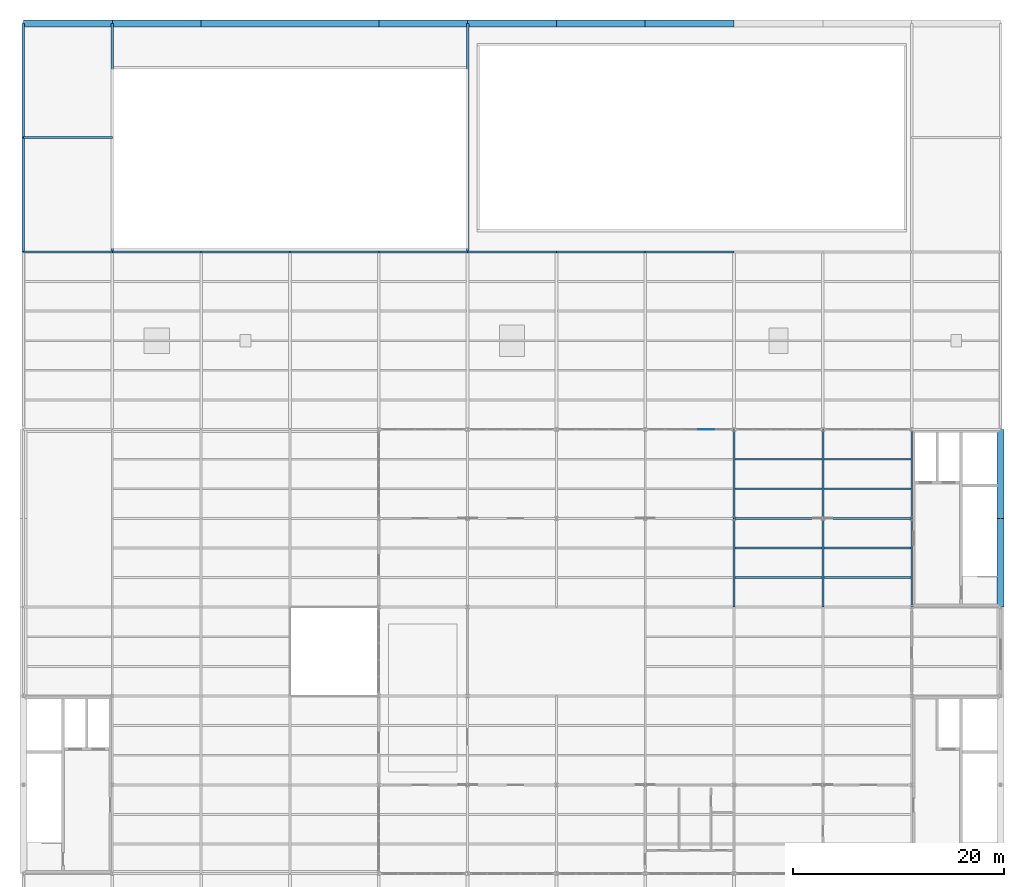
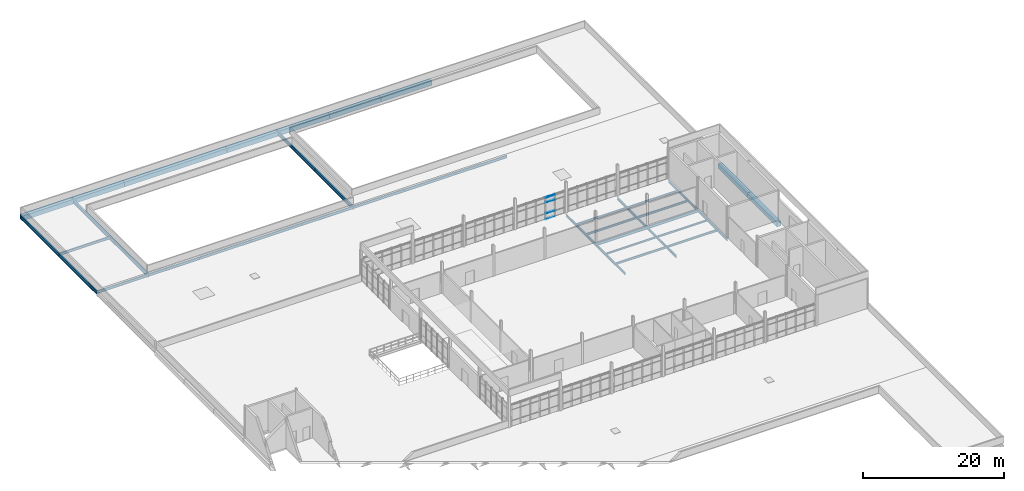
# One storey, part 20 of 33: 40 beams, 4 members, 1 element without a shape of its own.
"""IFC4 building model written with IfcOpenShell, lengths in metres."""

from ifc_helpers import new_model, si_unit, direction, frame, origin, origin_2d, place, context, subcontext, project, spatial, rectangle, i_section, extrude, material, layer, layer_set, material_profile, profile_set, type_object, element, aggregate, save


model = new_model("IFC4")

# Units and contexts
model_context = context("Model", 3, precision=1e-05, world=origin(), true_north=direction((0.0, 1.0)))
body_context = subcontext(model_context, "Body", "Model", "MODEL_VIEW")
ifc_project = project(units=[si_unit("LENGTHUNIT", "METRE"), si_unit("AREAUNIT", "SQUARE_METRE"), si_unit("VOLUMEUNIT", "CUBIC_METRE"), si_unit("PLANEANGLEUNIT", "RADIAN"), si_unit("MASSUNIT", "GRAM", prefix="KILO"), si_unit("THERMODYNAMICTEMPERATUREUNIT", "KELVIN"), si_unit("POWERUNIT", "WATT")], contexts=[model_context])

# Site, building, storey
site_placement = place(None, origin())
site = spatial("IfcSite", under=ifc_project, at=site_placement, CompositionType="ELEMENT")
building_placement = place(site_placement, origin())
building = spatial("IfcBuilding", under=site, at=building_placement, Name="Tembeka Court Mobility Hub", CompositionType="ELEMENT")
storey_placement = place(building_placement, frame((0.0, 0.0, 23.39990234375)))
storey = spatial("IfcBuildingStorey", under=building, at=storey_placement, Name="L06", CompositionType="ELEMENT", Elevation=23.39990234375)

# Beams
ifc_material_1 = material(Name="Steel S355", Category="steel")
ifc_material_profile_1 = material_profile(ifc_material_1, i_section(OverallWidth=0.18994140625, OverallDepth=0.45703125, WebThickness=0.009033203125, FlangeThickness=0.014404296875, FilletRadius=0.01025390625, at=origin_2d()), Name="UKB 457x191x74")
ifc_profile_set_1 = profile_set([ifc_material_profile_1], Name="Steel S355")
beam_type_1 = type_object("IfcBeamType", Name="BM-B01", PredefinedType="BEAM", material=ifc_profile_set_1)
beam_1_placement = place(storey_placement, frame((67.199951171875, 72.0, -0.478515625), z_axis=(1.0, 0.0, 0.0), x_axis=(0.0, 1.0, 0.0)))
element("IfcBeam", 1, at=beam_1_placement, inside=storey, type_object=beam_type_1, Name="Beam B01 (BM-L06-X3160)", PredefinedType="BEAM", context=body_context, shape_type="SweptSolid", body=[
    extrude(i_section(OverallWidth=0.18994140625, OverallDepth=0.45703125, WebThickness=0.009033203125, FlangeThickness=0.014404296875, FilletRadius=0.01025390625, at=origin_2d()), origin(), (0.0, 0.0, 1.0), 8.400146484375),
])
for number, where, z_axis, x_axis, name in (
    (2, (75.60009765625, 72.0, -0.478515625), (1.0, 0.0, 0.0), (0.0, 1.0, 0.0), "Beam B01 (BM-L06-X3161)"),
    (3, (0.0, 97.199951171875, -0.45849609375), (1.0, 0.0, 0.0), (0.0, 1.0, 0.0), "Beam B01 (BM-L06-X3173)"),
):
    element("IfcBeam", number, at=place(storey_placement, frame(where, z_axis=z_axis, x_axis=x_axis)), inside=storey, type_object=beam_type_1, Name=name, PredefinedType="BEAM", context=body_context, shape_type="SweptSolid", body=[
        extrude(i_section(OverallWidth=0.18994140625, OverallDepth=0.45703125, WebThickness=0.009033203125, FlangeThickness=0.014404296875, FilletRadius=0.01025390625, at=origin_2d()), origin(), (0.0, 0.0, 1.0), 8.39990234375),
    ])
beam_2_placement = place(storey_placement, frame((8.39990234375, 97.199951171875, -0.45849609375), z_axis=(1.0, 0.0, 0.0), x_axis=(0.0, 1.0, 0.0)))
element("IfcBeam", 4, at=beam_2_placement, inside=storey, type_object=beam_type_1, Name="Beam B01 (BM-L06-X3174)", PredefinedType="BEAM", context=body_context, shape_type="SweptSolid", body=[
    extrude(i_section(OverallWidth=0.18994140625, OverallDepth=0.45703125, WebThickness=0.009033203125, FlangeThickness=0.014404296875, FilletRadius=0.01025390625, at=origin_2d()), origin(), (0.0, 0.0, 1.0), 8.400146484375),
])
beam_3_placement = place(storey_placement, frame((16.800048828125, 97.199951171875, -0.45849609375), z_axis=(1.0, 0.0, 0.0), x_axis=(0.0, 1.0, 0.0)))
element("IfcBeam", 5, at=beam_3_placement, inside=storey, type_object=beam_type_1, Name="Beam B01 (BM-L06-X3175)", PredefinedType="BEAM", context=body_context, shape_type="SweptSolid", body=[
    extrude(i_section(OverallWidth=0.18994140625, OverallDepth=0.45703125, WebThickness=0.009033203125, FlangeThickness=0.014404296875, FilletRadius=0.01025390625, at=origin_2d()), origin(), (0.0, 0.0, 1.0), 8.39990234375),
])
beam_4_placement = place(storey_placement, frame((25.199951171875, 97.199951171875, -0.45849609375), z_axis=(1.0, 0.0, 0.0), x_axis=(0.0, 1.0, 0.0)))
element("IfcBeam", 6, at=beam_4_placement, inside=storey, type_object=beam_type_1, Name="Beam B01 (BM-L06-X3176)", PredefinedType="BEAM", context=body_context, shape_type="SweptSolid", body=[
    extrude(i_section(OverallWidth=0.18994140625, OverallDepth=0.45703125, WebThickness=0.009033203125, FlangeThickness=0.014404296875, FilletRadius=0.01025390625, at=origin_2d()), origin(), (0.0, 0.0, 1.0), 8.400146484375),
])
for number, where, z_axis, x_axis, name in (
    (7, (33.60009765625, 97.199951171875, -0.45849609375), (1.0, 0.0, 0.0), (0.0, 1.0, 0.0), "Beam B01 (BM-L06-X3177)"),
    (8, (42.0, 97.199951171875, -0.45849609375), (1.0, 0.0, 0.0), (0.0, 1.0, 0.0), "Beam B01 (BM-L06-X3178)"),
):
    element("IfcBeam", number, at=place(storey_placement, frame(where, z_axis=z_axis, x_axis=x_axis)), inside=storey, type_object=beam_type_1, Name=name, PredefinedType="BEAM", context=body_context, shape_type="SweptSolid", body=[
        extrude(i_section(OverallWidth=0.18994140625, OverallDepth=0.45703125, WebThickness=0.009033203125, FlangeThickness=0.014404296875, FilletRadius=0.01025390625, at=origin_2d()), origin(), (0.0, 0.0, 1.0), 8.39990234375),
    ])
beam_5_placement = place(storey_placement, frame((50.39990234375, 97.199951171875, -0.45849609375), z_axis=(1.0, 0.0, 0.0), x_axis=(0.0, 1.0, 0.0)))
element("IfcBeam", 9, at=beam_5_placement, inside=storey, type_object=beam_type_1, Name="Beam B01 (BM-L06-X3179)", PredefinedType="BEAM", context=body_context, shape_type="SweptSolid", body=[
    extrude(i_section(OverallWidth=0.18994140625, OverallDepth=0.45703125, WebThickness=0.009033203125, FlangeThickness=0.014404296875, FilletRadius=0.01025390625, at=origin_2d()), origin(), (0.0, 0.0, 1.0), 8.400146484375),
])
for number, where, z_axis, x_axis, name in (
    (10, (58.800048828125, 97.199951171875, -0.45849609375), (1.0, 0.0, 0.0), (0.0, 1.0, 0.0), "Beam B01 (BM-L06-X3180)"),
    (11, (0.0, 108.0, -0.45849609375), (1.0, 0.0, 0.0), (0.0, 1.0, 0.0), "Beam B01 (BM-L06-X3184)"),
):
    element("IfcBeam", number, at=place(storey_placement, frame(where, z_axis=z_axis, x_axis=x_axis)), inside=storey, type_object=beam_type_1, Name=name, PredefinedType="BEAM", context=body_context, shape_type="SweptSolid", body=[
        extrude(i_section(OverallWidth=0.18994140625, OverallDepth=0.45703125, WebThickness=0.009033203125, FlangeThickness=0.014404296875, FilletRadius=0.01025390625, at=origin_2d()), origin(), (0.0, 0.0, 1.0), 8.39990234375),
    ])
ifc_material_profile_2 = material_profile(ifc_material_1, i_section(OverallWidth=0.177978515625, OverallDepth=0.406005859375, WebThickness=0.0078125, FlangeThickness=0.0126953125, FilletRadius=0.01025390625, at=origin_2d()), Name="UKB 406x178x60")
ifc_profile_set_2 = profile_set([ifc_material_profile_2], Name="Steel S355")
beam_type_2 = type_object("IfcBeamType", Name="BM-B02", PredefinedType="BEAM", material=ifc_profile_set_2)
for number, where, z_axis, x_axis, name in (
    (12, (67.199951171875, 63.60009765625, -0.452880859375), (0.0, 1.0, 0.0), (-1.0, 0.0, 0.0), "Beam B02 (BM-L06-Y3265)"),
    (13, (67.199951171875, 72.0, -0.452880859375), (0.0, 1.0, 0.0), (-1.0, 0.0, 0.0), "Beam B02 (BM-L06-Y3266)"),
    (14, (75.60009765625, 63.60009765625, -0.452880859375), (0.0, 1.0, 0.0), (-1.0, 0.0, 0.0), "Beam B02 (BM-L06-Y3272)"),
    (15, (75.60009765625, 72.0, -0.452880859375), (0.0, 1.0, 0.0), (-1.0, 0.0, 0.0), "Beam B02 (BM-L06-Y3273)"),
    (16, (84.0, 63.60009765625, -0.452880859375), (0.0, 1.0, 0.0), (-1.0, 0.0, 0.0), "Beam B02 (BM-L06-Y3281)"),
    (17, (84.0, 72.0, -0.452880859375), (0.0, 1.0, 0.0), (-1.0, 0.0, 0.0), "Beam B02 (BM-L06-Y3282)"),
):
    element("IfcBeam", number, at=place(storey_placement, frame(where, z_axis=z_axis, x_axis=x_axis)), inside=storey, type_object=beam_type_2, Name=name, PredefinedType="BEAM", context=body_context, shape_type="SweptSolid", body=[
        extrude(i_section(OverallWidth=0.177978515625, OverallDepth=0.406005859375, WebThickness=0.0078125, FlangeThickness=0.0126953125, FilletRadius=0.01025390625, at=origin_2d()), origin(), (0.0, 0.0, 1.0), 8.39990234375),
    ])
ifc_material_profile_3 = material_profile(ifc_material_1, i_section(OverallWidth=0.22900390625, OverallDepth=0.612060546875, WebThickness=0.011962890625, FlangeThickness=0.01953125, FilletRadius=0.0126953125, at=origin_2d()), Name="UKB 610x229x125")
ifc_profile_set_3 = profile_set([ifc_material_profile_3], Name="Steel S355")
beam_type_3 = type_object("IfcBeamType", Name="BM-G02", PredefinedType="USERDEFINED", material=ifc_profile_set_3)
for number, where, z_axis, x_axis, name in (
    (18, (0.0, 97.199951171875, -0.535888671875), (0.0, 1.0, 0.0), (-1.0, 0.0, 0.0), "Beam G02 (BM-L06-Y3205)"),
    (19, (0.0, 108.0, -0.535888671875), (0.0, 1.0, 0.0), (-1.0, 0.0, 0.0), "Beam G02 (BM-L06-Y3206)"),
    (20, (8.39990234375, 97.199951171875, -0.535888671875), (0.0, 1.0, 0.0), (-1.0, 0.0, 0.0), "Beam G02 (BM-L06-Y3216)"),
    (21, (8.39990234375, 108.0, -0.535888671875), (0.0, 1.0, 0.0), (-1.0, 0.0, 0.0), "Beam G02 (BM-L06-Y3217)"),
    (22, (42.0, 97.199951171875, -0.535888671875), (0.0, 1.0, 0.0), (-1.0, 0.0, 0.0), "Beam G02 (BM-L06-Y3246)"),
    (23, (42.0, 108.0, -0.535888671875), (0.0, 1.0, 0.0), (-1.0, 0.0, 0.0), "Beam G02 (BM-L06-Y3247)"),
):
    element("IfcBeam", number, at=place(storey_placement, frame(where, z_axis=z_axis, x_axis=x_axis)), inside=storey, type_object=beam_type_3, Name=name, ObjectType="GIRDER", PredefinedType="USERDEFINED", context=body_context, shape_type="SweptSolid", body=[
        extrude(i_section(OverallWidth=0.22900390625, OverallDepth=0.612060546875, WebThickness=0.011962890625, FlangeThickness=0.01953125, FilletRadius=0.0126953125, at=origin_2d()), origin(), (0.0, 0.0, 1.0), 10.800048828125),
    ])
ifc_material_profile_4 = material_profile(ifc_material_1, i_section(OverallWidth=0.1650390625, OverallDepth=0.303955078125, WebThickness=0.006103515625, FlangeThickness=0.01025390625, FilletRadius=0.0087890625, at=origin_2d()), Name="UKB 305x165x40")
ifc_profile_set_4 = profile_set([ifc_material_profile_4], Name="Steel S355")
beam_type_4 = type_object("IfcBeamType", Name="BM-J02", PredefinedType="JOIST", material=ifc_profile_set_4)
for number, where, z_axis, x_axis, name in (
    (24, (67.283935546875, 69.199951171875, -0.40185546875), (1.0, 0.0, 0.0), (0.0, 1.0, 0.0), "Beam J02 (JST-L06-3453)"),
    (25, (67.283935546875, 77.60009765625, -0.40185546875), (1.0, 0.0, 0.0), (0.0, 1.0, 0.0), "Beam J02 (JST-L06-3455)"),
):
    element("IfcBeam", number, at=place(storey_placement, frame(where, z_axis=z_axis, x_axis=x_axis)), inside=storey, type_object=beam_type_4, Name=name, PredefinedType="JOIST", context=body_context, shape_type="SweptSolid", body=[
        extrude(i_section(OverallWidth=0.1650390625, OverallDepth=0.303955078125, WebThickness=0.006103515625, FlangeThickness=0.01025390625, FilletRadius=0.0087890625, at=origin_2d()), origin(), (0.0, 0.0, 1.0), 8.232177734375),
    ])
for number, where, z_axis, x_axis, name in (
    (26, (75.68408203125, 69.199951171875, -0.40185546875), (1.0, 0.0, 0.0), (0.0, 1.0, 0.0), "Beam J02 (JST-L06-3473)"),
    (27, (75.68408203125, 77.60009765625, -0.40185546875), (1.0, 0.0, 0.0), (0.0, 1.0, 0.0), "Beam J02 (JST-L06-3475)"),
):
    element("IfcBeam", number, at=place(storey_placement, frame(where, z_axis=z_axis, x_axis=x_axis)), inside=storey, type_object=beam_type_4, Name=name, PredefinedType="JOIST", context=body_context, shape_type="SweptSolid", body=[
        extrude(i_section(OverallWidth=0.1650390625, OverallDepth=0.303955078125, WebThickness=0.006103515625, FlangeThickness=0.01025390625, FilletRadius=0.0087890625, at=origin_2d()), origin(), (0.0, 0.0, 1.0), 8.23193359375),
    ])
ifc_material_profile_5 = material_profile(ifc_material_1, i_section(OverallWidth=0.169921875, OverallDepth=0.360107421875, WebThickness=0.008056640625, FlangeThickness=0.0126953125, FilletRadius=0.01806640625, at=origin_2d()), Name="IPE 360")
ifc_profile_set_5 = profile_set([ifc_material_profile_5], Name="Steel S355")
beam_type_5 = type_object("IfcBeamType", Name="BM-J03", PredefinedType="JOIST", material=ifc_profile_set_5)
for number, where, z_axis, x_axis, name in (
    (28, (67.283935546875, 66.39990234375, -0.429931640625), (1.0, 0.0, 0.0), (0.0, 1.0, 0.0), "Beam J03 (JST-L06-3452)"),
    (29, (67.283935546875, 74.800048828125, -0.429931640625), (1.0, 0.0, 0.0), (0.0, 1.0, 0.0), "Beam J03 (JST-L06-3454)"),
):
    element("IfcBeam", number, at=place(storey_placement, frame(where, z_axis=z_axis, x_axis=x_axis)), inside=storey, type_object=beam_type_5, Name=name, PredefinedType="JOIST", context=body_context, shape_type="SweptSolid", body=[
        extrude(i_section(OverallWidth=0.169921875, OverallDepth=0.360107421875, WebThickness=0.008056640625, FlangeThickness=0.0126953125, FilletRadius=0.01806640625, at=origin_2d()), origin(), (0.0, 0.0, 1.0), 8.232177734375),
    ])
for number, where, z_axis, x_axis, name in (
    (30, (75.68408203125, 66.39990234375, -0.429931640625), (1.0, 0.0, 0.0), (0.0, 1.0, 0.0), "Beam J03 (JST-L06-3472)"),
    (31, (75.68408203125, 74.800048828125, -0.429931640625), (1.0, 0.0, 0.0), (0.0, 1.0, 0.0), "Beam J03 (JST-L06-3474)"),
):
    element("IfcBeam", number, at=place(storey_placement, frame(where, z_axis=z_axis, x_axis=x_axis)), inside=storey, type_object=beam_type_5, Name=name, PredefinedType="JOIST", context=body_context, shape_type="SweptSolid", body=[
        extrude(i_section(OverallWidth=0.169921875, OverallDepth=0.360107421875, WebThickness=0.008056640625, FlangeThickness=0.0126953125, FilletRadius=0.01806640625, at=origin_2d()), origin(), (0.0, 0.0, 1.0), 8.23193359375),
    ])
ifc_material_2 = material(Name="Precast concrete C45/55", Category="concrete")
ifc_material_profile_6 = material_profile(ifc_material_2, rectangle(XDim=0.64990234375, YDim=0.800048828125, at=origin_2d()), Name="PC-SP 650x800")
ifc_profile_set_6 = profile_set([ifc_material_profile_6], Name="Precast concrete C45/55")
beam_type_6 = type_object("IfcBeamType", Name="BM-SP01", PredefinedType="SPANDREL", material=ifc_profile_set_6)
beam_6_placement = place(storey_placement, frame((0.0, 118.800048828125, -0.6298828125), z_axis=(1.0, 0.0, 0.0), x_axis=(0.0, 1.0, 0.0)))
element("IfcBeam", 32, at=beam_6_placement, inside=storey, type_object=beam_type_6, Name="Beam SP01 (BM-L06-X3186)", PredefinedType="SPANDREL", context=body_context, shape_type="SweptSolid", body=[
    extrude(rectangle(XDim=0.64990234375, YDim=0.800048828125, at=origin_2d()), origin(), (0.0, 0.0, 1.0), 8.39990234375),
])
beam_7_placement = place(storey_placement, frame((8.39990234375, 118.800048828125, -0.6298828125), z_axis=(1.0, 0.0, 0.0), x_axis=(0.0, 1.0, 0.0)))
element("IfcBeam", 33, at=beam_7_placement, inside=storey, type_object=beam_type_6, Name="Beam SP01 (BM-L06-X3187)", PredefinedType="SPANDREL", context=body_context, shape_type="SweptSolid", body=[
    extrude(rectangle(XDim=0.64990234375, YDim=0.800048828125, at=origin_2d()), origin(), (0.0, 0.0, 1.0), 8.400146484375),
])
beam_8_placement = place(storey_placement, frame((16.800048828125, 118.800048828125, -0.6298828125), z_axis=(1.0, 0.0, 0.0), x_axis=(0.0, 1.0, 0.0)))
element("IfcBeam", 34, at=beam_8_placement, inside=storey, type_object=beam_type_6, Name="Beam SP01 (BM-L06-X3188)", PredefinedType="SPANDREL", context=body_context, shape_type="SweptSolid", body=[
    extrude(rectangle(XDim=0.64990234375, YDim=0.800048828125, at=origin_2d()), origin(), (0.0, 0.0, 1.0), 16.800048828125),
])
for number, where, z_axis, x_axis, name in (
    (35, (33.60009765625, 118.800048828125, -0.6298828125), (1.0, 0.0, 0.0), (0.0, 1.0, 0.0), "Beam SP01 (BM-L06-X3189)"),
    (36, (42.0, 118.800048828125, -0.6298828125), (1.0, 0.0, 0.0), (0.0, 1.0, 0.0), "Beam SP01 (BM-L06-X3190)"),
):
    element("IfcBeam", number, at=place(storey_placement, frame(where, z_axis=z_axis, x_axis=x_axis)), inside=storey, type_object=beam_type_6, Name=name, PredefinedType="SPANDREL", context=body_context, shape_type="SweptSolid", body=[
        extrude(rectangle(XDim=0.64990234375, YDim=0.800048828125, at=origin_2d()), origin(), (0.0, 0.0, 1.0), 8.39990234375),
    ])
beam_9_placement = place(storey_placement, frame((50.39990234375, 118.800048828125, -0.6298828125), z_axis=(1.0, 0.0, 0.0), x_axis=(0.0, 1.0, 0.0)))
element("IfcBeam", 37, at=beam_9_placement, inside=storey, type_object=beam_type_6, Name="Beam SP01 (BM-L06-X3191)", PredefinedType="SPANDREL", context=body_context, shape_type="SweptSolid", body=[
    extrude(rectangle(XDim=0.64990234375, YDim=0.800048828125, at=origin_2d()), origin(), (0.0, 0.0, 1.0), 8.400146484375),
])
for number, where, z_axis, x_axis, name in (
    (38, (58.800048828125, 118.800048828125, -0.6298828125), (1.0, 0.0, 0.0), (0.0, 1.0, 0.0), "Beam SP01 (BM-L06-X3192)"),
    (39, (92.39990234375, 63.60009765625, -0.64990234375), (0.0, 1.0, 0.0), (-1.0, 0.0, 0.0), "Beam SP01 (BM-L06-Y3292)"),
    (40, (92.39990234375, 72.0, -0.64990234375), (0.0, 1.0, 0.0), (-1.0, 0.0, 0.0), "Beam SP01 (BM-L06-Y3293)"),
):
    element("IfcBeam", number, at=place(storey_placement, frame(where, z_axis=z_axis, x_axis=x_axis)), inside=storey, type_object=beam_type_6, Name=name, PredefinedType="SPANDREL", context=body_context, shape_type="SweptSolid", body=[
        extrude(rectangle(XDim=0.64990234375, YDim=0.800048828125, at=origin_2d()), origin(), (0.0, 0.0, 1.0), 8.39990234375),
    ])

# Curtain wall, members
ifc_material_3 = material(Name="Anodised aluminium 6063-T6", Category="aluminium")
ifc_layer = layer(ifc_material_3, 0.159912109375)
ifc_layer_set = layer_set([ifc_layer], Name="Anodised aluminium 6063-T6")
curtain_wall_type = type_object("IfcCurtainWallType", Name="CW-SYS57", PredefinedType="USERDEFINED", material=ifc_layer_set)
curtain_wall_placement = place(storey_placement, origin())
curtain_wall = element("IfcCurtainWall", 41, at=curtain_wall_placement, inside=storey, type_object=curtain_wall_type, Name="Unitised curtain wall CW57 (CW-L06-159)", ObjectType="UNITISED GLAZING", PredefinedType="USERDEFINED")
ifc_material_profile_7 = material_profile(ifc_material_3, rectangle(XDim=0.06494140625, YDim=0.1201171875, at=origin_2d()), Name="ALU-TRN 65x120")
ifc_profile_set_7 = profile_set([ifc_material_profile_7], Name="Anodised aluminium 6063-T6")
member_type = type_object("IfcMemberType", Name="CW-TRN01", PredefinedType="USERDEFINED", material=ifc_profile_set_7)
member_1_placement = place(storey_placement, frame((63.81640625, 80.39990234375, 0.03271484375), z_axis=(1.0, 0.0, 0.0), x_axis=(0.0, 1.0, 0.0)))
member_1 = element("IfcMember", 42, at=member_1_placement, type_object=member_type, Name="CW57 transom 4.1", ObjectType="TRANSOM", PredefinedType="USERDEFINED", context=body_context, shape_type="SweptSolid", body=[
    extrude(rectangle(XDim=0.06494140625, YDim=0.1201171875, at=origin_2d()), origin(), (0.0, 0.0, 1.0), 1.503173828125),
])
member_2_placement = place(storey_placement, frame((63.81640625, 80.39990234375, 1.050048828125), z_axis=(1.0, 0.0, 0.0), x_axis=(0.0, 1.0, 0.0)))
member_2 = element("IfcMember", 43, at=member_2_placement, type_object=member_type, Name="CW57 transom 4.2", ObjectType="TRANSOM", PredefinedType="USERDEFINED", context=body_context, shape_type="SweptSolid", body=[
    extrude(rectangle(XDim=0.06494140625, YDim=0.1201171875, at=origin_2d()), origin(), (0.0, 0.0, 1.0), 1.503173828125),
])
member_3_placement = place(storey_placement, frame((63.81640625, 80.39990234375, 2.945068359375), z_axis=(1.0, 0.0, 0.0), x_axis=(0.0, 1.0, 0.0)))
member_3 = element("IfcMember", 44, at=member_3_placement, type_object=member_type, Name="CW57 transom 4.3", ObjectType="TRANSOM", PredefinedType="USERDEFINED", context=body_context, shape_type="SweptSolid", body=[
    extrude(rectangle(XDim=0.06494140625, YDim=0.1201171875, at=origin_2d()), origin(), (0.0, 0.0, 1.0), 1.503173828125),
])
member_4_placement = place(storey_placement, frame((63.81640625, 80.39990234375, 3.7626953125), z_axis=(1.0, 0.0, 0.0), x_axis=(0.0, 1.0, 0.0)))
member_4 = element("IfcMember", 45, at=member_4_placement, type_object=member_type, Name="CW57 transom 4.4", ObjectType="TRANSOM", PredefinedType="USERDEFINED", context=body_context, shape_type="SweptSolid", body=[
    extrude(rectangle(XDim=0.06494140625, YDim=0.1201171875, at=origin_2d()), origin(), (0.0, 0.0, 1.0), 1.503173828125),
])
aggregate(curtain_wall, [member_1, member_2, member_3, member_4])

save(model, "model.ifc")
